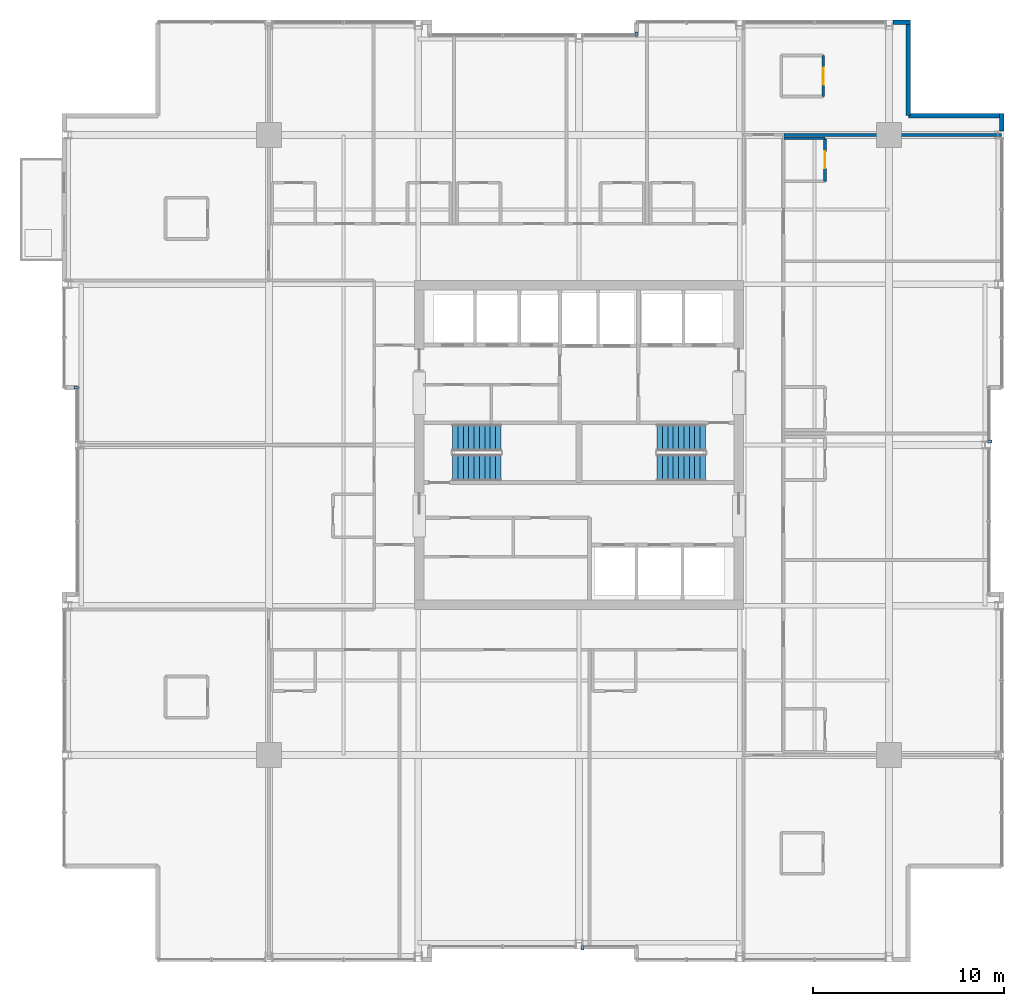
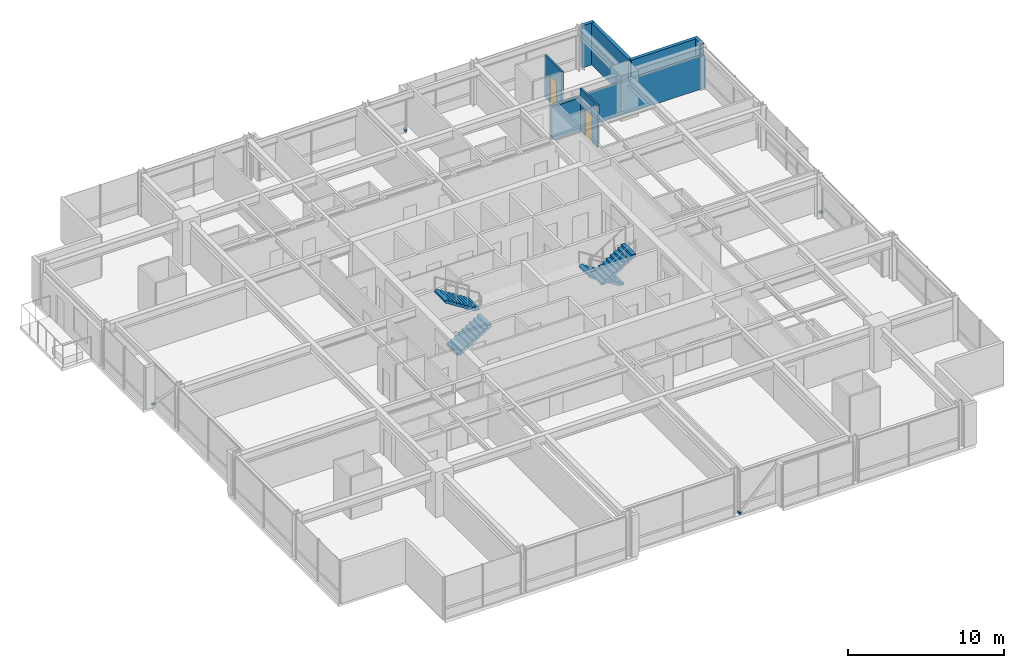
# One storey, part 29 of 32: 8 walls, 4 discrete accessories, 4 stair flights, 2 doors, 2 openings, 2 elements without a shape of their own.
"""IFC4 building model written with IfcOpenShell, lengths in metres."""

import ifcopenshell
import ifcopenshell.guid

model = None  # the IFC model being written
_history = None  # IfcOwnerHistory: only IFC2X3 demands one
_inside = {}  # id of a spatial element -> (the spatial element, [elements in it])
_under = {}  # id of a project, library or spatial element -> (it, [spatial elements below it])
_declared = {}  # id of a project -> (the project, [libraries it declares])
_typed = {}  # id of a type object -> (the type object, [elements of that type])
_made_of = {}  # id of a material, layer set ... -> (it, [elements and type objects made of it])


def new_model(schema):
    """Start an empty IFC model of exactly this schema.

    Asked for "IFC4X3", IfcOpenShell would pick the latest addendum, in which some entities
    have other attributes; the version numbers below select the first issue.
    IFC2X3 requires an IfcOwnerHistory on every rooted entity: one is made here for all.
    """
    global model, _history
    if schema == "IFC4X3":
        model = ifcopenshell.file(schema_version=(4, 3, 0, 0))
    else:
        model = ifcopenshell.file(schema=schema)
    _inside.clear()
    _under.clear()
    _declared.clear()
    _typed.clear()
    _made_of.clear()
    _history = None
    if model.schema == "IFC2X3":
        org = make("IfcOrganization", Name="unknown")
        user = make(
            "IfcPersonAndOrganization",
            ThePerson=make("IfcPerson", FamilyName="unknown"),
            TheOrganization=org,
        )
        app = make(
            "IfcApplication",
            ApplicationDeveloper=org,
            Version="unknown",
            ApplicationFullName="unknown",
            ApplicationIdentifier="unknown",
        )
        _history = make(
            "IfcOwnerHistory",
            OwningUser=user,
            OwningApplication=app,
            ChangeAction="ADDED",
            CreationDate=0,
        )
    return model


def make(cls, **values):
    """One entity of the class cls with the attributes given. An attribute that is None is left unset."""
    return model.create_entity(
        cls, **{name: value for name, value in values.items() if value is not None}
    )


def rooted(cls, **values):
    """An entity with a GlobalId (a new one), such as an element, a storey or a relation."""
    return make(cls, GlobalId=ifcopenshell.guid.new(), OwnerHistory=_history, **values)


def si_unit(unit_type, name, prefix=None):
    """IfcSIUnit, for example si_unit("LENGTHUNIT", "METRE", prefix="MILLI")."""
    return make("IfcSIUnit", UnitType=unit_type, Prefix=prefix, Name=name)


def assignment(units):
    """IfcUnitAssignment: the units of a project."""
    return None if units is None else make("IfcUnitAssignment", Units=units)


def point(xyz):
    """IfcCartesianPoint."""
    return None if xyz is None else make("IfcCartesianPoint", Coordinates=xyz)


def direction(xyz):
    """IfcDirection."""
    return None if xyz is None else make("IfcDirection", DirectionRatios=xyz)


def frame(location, z_axis=None, x_axis=None):
    """IfcAxis2Placement3D, a coordinate frame: its origin and axes. An axis left out is left unset."""
    return make(
        "IfcAxis2Placement3D",
        Location=point(location),
        Axis=direction(z_axis),
        RefDirection=direction(x_axis),
    )


def frame_2d(location, x_axis=None):
    """IfcAxis2Placement2D, a coordinate frame in the plane: its origin and x axis."""
    return make(
        "IfcAxis2Placement2D", Location=point(location), RefDirection=direction(x_axis)
    )


def origin():
    """The frame at (0, 0, 0) with its axes left unset."""
    return frame((0.0, 0.0, 0.0))


def origin_2d():
    """The frame at (0, 0) in the plane with its x axis left unset."""
    return frame_2d((0.0, 0.0))


def place(relative_to, where):
    """IfcLocalPlacement: puts the frame where relative to a parent placement (None: the world)."""
    return make(
        "IfcLocalPlacement", PlacementRelTo=relative_to, RelativePlacement=where
    )


def context(
    kind, dimensions, precision=None, world=None, true_north=None, identifier=None
):
    """IfcGeometricRepresentationContext, for example the 3D "Model" context."""
    return make(
        "IfcGeometricRepresentationContext",
        ContextIdentifier=identifier,
        ContextType=kind,
        CoordinateSpaceDimension=dimensions,
        Precision=precision,
        WorldCoordinateSystem=world,
        TrueNorth=true_north,
    )


def subcontext(parent, identifier, kind, view, scale=None):
    """IfcGeometricRepresentationSubContext, for example "Body" below "Model"."""
    return make(
        "IfcGeometricRepresentationSubContext",
        ContextIdentifier=identifier,
        ContextType=kind,
        ParentContext=parent,
        TargetScale=scale,
        TargetView=view,
    )


def project(units=None, contexts=None):
    """IfcProject with its units and contexts."""
    return rooted(
        "IfcProject",
        Name="project",
        RepresentationContexts=contexts,
        UnitsInContext=assignment(units),
    )


def spatial(cls, under=None, at=None, **own):
    """A site, building, storey or space (cls), placed at a placement, below another one or the project."""
    s = rooted(cls, ObjectPlacement=at, **own)
    if under is not None:
        _under.setdefault(under.id(), (under, []))[1].append(s)
    return s


def polyline(points):
    """IfcPolyline through the points."""
    return make("IfcPolyline", Points=[point(p) for p in points])


def profile(cls, at=None, kind="AREA", **sizes):
    """A parametric profile (cls). Its sizes go by their IFC names, for example OverallWidth=200.0."""
    return make(cls, ProfileType=kind, Position=at, **sizes)


def rectangle(**sizes):
    """IfcRectangleProfileDef."""
    return profile("IfcRectangleProfileDef", **sizes)


def outline(outer, holes=None, kind="AREA"):
    """IfcArbitraryClosedProfileDef: a profile drawn as a closed curve; with holes, ...WithVoids."""
    if holes is None:
        return make("IfcArbitraryClosedProfileDef", ProfileType=kind, OuterCurve=outer)
    return make(
        "IfcArbitraryProfileDefWithVoids",
        ProfileType=kind,
        OuterCurve=outer,
        InnerCurves=holes,
    )


def extrude(swept, where, along, depth):
    """IfcExtrudedAreaSolid: the profile swept, set in the frame where, extruded along a direction by depth."""
    return make(
        "IfcExtrudedAreaSolid",
        SweptArea=swept,
        Position=where,
        ExtrudedDirection=direction(along),
        Depth=depth,
    )


def shape(context_of_items, identifier, shape_type, items):
    """IfcShapeRepresentation: the items that make up one representation, for example the "Body"."""
    return make(
        "IfcShapeRepresentation",
        ContextOfItems=context_of_items,
        RepresentationIdentifier=identifier,
        RepresentationType=shape_type,
        Items=items,
    )


def material(Name=None, Category=None):
    """IfcMaterial."""
    return make("IfcMaterial", Name=Name, Category=Category)


def layer(
    of_material, thickness, ventilated=None, Name=None, Category=None, Priority=None
):
    """IfcMaterialLayer: one layer of a wall or slab, of a material (None: an air gap)."""
    return make(
        "IfcMaterialLayer",
        Material=of_material,
        LayerThickness=thickness,
        IsVentilated=ventilated,
        Name=Name,
        Category=Category,
        Priority=Priority,
    )


def layer_set(layers, Name=None):
    """IfcMaterialLayerSet."""
    return make("IfcMaterialLayerSet", MaterialLayers=layers, LayerSetName=Name)


def made_of(thing, what):
    """Note that an element or type object is made of a material, layer set ...; save() writes the relation."""
    if what is not None:
        _made_of.setdefault(what.id(), (what, []))[1].append(thing)
    return thing


def type_object(cls, material=None, **own):
    """A type object (cls), such as IfcWallType, which elements share."""
    return made_of(rooted(cls, **own), material)


def element(
    cls,
    number,
    at=None,
    inside=None,
    cuts=None,
    type_object=None,
    material=None,
    context=None,
    identifier="Body",
    shape_type=None,
    held_by="IfcProductDefinitionShape",
    body=None,
    shapes=None,
    **own,
):
    """One element of the class cls, such as IfcWall. Its Tag is "e" and its number.

    at: its placement. inside: the storey or other place that contains it. cuts: it is an
    opening in that element (IfcRelVoidsElement). A single representation is given by context,
    identifier, shape_type and body (its items); several are given by shapes. held_by: the class
    of the entity that holds the representations. save() writes the other relations.
    """
    e = rooted(cls, Tag="e%d" % number, ObjectPlacement=at, **own)
    if body is not None:
        shapes = [shape(context, identifier, shape_type, body)]
    if shapes is not None:
        e.Representation = make(held_by, Representations=shapes)
    if inside is not None:
        _inside.setdefault(inside.id(), (inside, []))[1].append(e)
    if cuts is not None:
        rooted(
            "IfcRelVoidsElement", RelatingBuildingElement=cuts, RelatedOpeningElement=e
        )
    if type_object is not None:
        _typed.setdefault(type_object.id(), (type_object, []))[1].append(e)
    return made_of(e, material)


def fill(opening, filler):
    """IfcRelFillsElement: the door or window that sits in an opening."""
    return rooted(
        "IfcRelFillsElement",
        RelatingOpeningElement=opening,
        RelatedBuildingElement=filler,
    )


def aggregate(whole, parts):
    """IfcRelAggregates: a whole, such as a stair, and the parts it consists of."""
    return rooted("IfcRelAggregates", RelatingObject=whole, RelatedObjects=parts)


def save(model, path):
    """Write the relations noted so far, then the file.

    IfcRelAggregates (storeys below a building ...), IfcRelContainedInSpatialStructure (elements
    in a storey), IfcRelDefinesByType, IfcRelAssociatesMaterial and IfcRelDeclares: one each for
    every whole, place, type object, material and project.
    """
    for whole, parts in _under.values():
        aggregate(whole, parts)
    for where, things in _inside.values():
        rooted(
            "IfcRelContainedInSpatialStructure",
            RelatedElements=things,
            RelatingStructure=where,
        )
    for kind, things in _typed.values():
        rooted("IfcRelDefinesByType", RelatedObjects=things, RelatingType=kind)
    for what, things in _made_of.values():
        rooted("IfcRelAssociatesMaterial", RelatedObjects=things, RelatingMaterial=what)
    for by, libraries in _declared.values():
        rooted("IfcRelDeclares", RelatingContext=by, RelatedDefinitions=libraries)
    model.write(path)


model = new_model("IFC4")

# Units and contexts
model_context = context("Model", 3, precision=1e-05, world=origin(), true_north=direction((0.0, 1.0)))
body_context = subcontext(model_context, "Body", "Model", "MODEL_VIEW")
ifc_project = project(units=[si_unit("LENGTHUNIT", "METRE"), si_unit("AREAUNIT", "SQUARE_METRE"), si_unit("VOLUMEUNIT", "CUBIC_METRE"), si_unit("PLANEANGLEUNIT", "RADIAN"), si_unit("MASSUNIT", "GRAM", prefix="KILO")], contexts=[model_context])

# Site, building, storey
site_placement = place(None, origin())
site = spatial("IfcSite", under=ifc_project, at=site_placement, CompositionType="ELEMENT")
building_placement = place(site_placement, origin())
building = spatial("IfcBuilding", under=site, at=building_placement, Name="Drelvath Grand Hotel", CompositionType="ELEMENT")
storey_placement = place(building_placement, frame((0.0, 0.0, 182.35009765625)))
storey = spatial("IfcBuildingStorey", under=building, at=storey_placement, Name="L47", CompositionType="ELEMENT", Elevation=182.35009765625)

# Wall, opening, door
ifc_material_1 = material(Name="Moisture-Resistant Gypsum Board")
ifc_layer_1 = layer(ifc_material_1, 0.139892578125)
ifc_layer_set_1 = layer_set([ifc_layer_1], Name="Moisture-Resistant Gypsum Board")
wall_type_1 = type_object("IfcWallType", Name="En-Suite Plumbing Wall 140", PredefinedType="PLUMBINGWALL", material=ifc_layer_set_1)
wall_1_placement = place(storey_placement, frame((12.760009765625, 45.199951171875, 0.0), z_axis=(0.0, 0.0, 1.0), x_axis=(0.0, 1.0, 0.0)))
wall_1 = element("IfcWall", 1, at=wall_1_placement, inside=storey, type_object=wall_type_1, Name="L47 Corner En-Suite East", PredefinedType="PLUMBINGWALL", context=body_context, shape_type="SweptSolid", body=[
    extrude(rectangle(XDim=2.150146484375, YDim=0.139892578125, at=frame_2d((1.0751953125, 0.0))), origin(), (0.0, 0.0, 1.0), 3.289794921875),
])
opening_1_placement = place(wall_1_placement, frame((0.6201171875, 0.0, 0.0)))
opening_1 = element("IfcOpeningElement", 2, at=opening_1_placement, cuts=wall_1, Name="Opening D-T3G4-032", PredefinedType="OPENING", context=body_context, shape_type="SweptSolid", body=[
    extrude(rectangle(XDim=0.8798828125, YDim=2.10009765625, at=frame_2d((0.43994140625, 1.050048828125))), frame((0.0, 0.079833984375, 0.0), z_axis=(0.0, -1.0, 0.0), x_axis=(1.0, 0.0, 0.0)), (0.0, 0.0, 1.0), 0.159912109375),
])
ifc_material_2 = material(Name="Hardwood Walnut Timber", Category="wood")
door_type = type_object("IfcDoorType", Name="En-Suite Bathroom Door 880x2100", OperationType="NOTDEFINED", PredefinedType="DOOR", material=ifc_material_2)
door_1_placement = place(opening_1_placement, origin())
door_1 = element("IfcDoor", 3, at=door_1_placement, inside=storey, type_object=door_type, Name="L47 Corner En-Suite Door", OperationType="SINGLE_SWING_RIGHT", OverallHeight=2.10009765625, OverallWidth=0.8798828125, PredefinedType="DOOR", context=body_context, shape_type="SweptSolid", body=[
    extrude(rectangle(XDim=0.8798828125, YDim=2.10009765625, at=frame_2d((0.43994140625, 1.050048828125))), frame((0.0, 0.02490234375, 0.0), z_axis=(0.0, -1.0, 0.0), x_axis=(1.0, 0.0, 0.0)), (0.0, 0.0, 1.0), 0.050048828125),
])
fill(opening_1, door_1)

# Wall
wall_2_placement = place(storey_placement, frame((10.699951171875, 43.02001953125, 0.0), z_axis=(0.0, 0.0, 1.0), x_axis=(1.0, 0.0, 0.0)))
element("IfcWall", 4, at=wall_2_placement, inside=storey, type_object=wall_type_1, Name="L47 En-Suite Right Wall", PredefinedType="PLUMBINGWALL", context=body_context, shape_type="SweptSolid", body=[
    extrude(rectangle(XDim=2.150146484375, YDim=0.139892578125, at=frame_2d((1.0751953125, 0.0))), origin(), (0.0, 0.0, 1.0), 2.579345703125),
])

# Wall, opening, door
wall_3_placement = place(storey_placement, frame((12.85009765625, 40.77001953125, 0.0), z_axis=(0.0, 0.0, 1.0), x_axis=(0.0, 1.0, 0.0)))
wall_3 = element("IfcWall", 5, at=wall_3_placement, inside=storey, type_object=wall_type_1, Name="L47 En-Suite Front Wall", PredefinedType="PLUMBINGWALL", context=body_context, shape_type="SweptSolid", body=[
    extrude(rectangle(XDim=2.25, YDim=0.139892578125, at=frame_2d((1.125, 0.0))), origin(), (0.0, 0.0, 1.0), 3.289794921875),
])
opening_2_placement = place(wall_3_placement, frame((0.68505859375, 0.0, 0.0)))
opening_2 = element("IfcOpeningElement", 6, at=opening_2_placement, cuts=wall_3, Name="Opening D-T3G4-055", PredefinedType="OPENING", context=body_context, shape_type="SweptSolid", body=[
    extrude(rectangle(XDim=0.8798828125, YDim=2.10009765625, at=frame_2d((0.43994140625, 1.050048828125))), frame((0.0, 0.079833984375, 0.0), z_axis=(0.0, -1.0, 0.0), x_axis=(1.0, 0.0, 0.0)), (0.0, 0.0, 1.0), 0.159912109375),
])
door_2_placement = place(opening_2_placement, origin())
door_2 = element("IfcDoor", 7, at=door_2_placement, inside=storey, type_object=door_type, Name="L47 En-Suite Bathroom Door", OperationType="SINGLE_SWING_LEFT", OverallHeight=2.10009765625, OverallWidth=0.8798828125, PredefinedType="DOOR", context=body_context, shape_type="SweptSolid", body=[
    extrude(rectangle(XDim=0.8798828125, YDim=2.10009765625, at=frame_2d((0.43994140625, 1.050048828125))), frame((0.0, 0.02490234375, 0.0), z_axis=(0.0, -1.0, 0.0), x_axis=(1.0, 0.0, 0.0)), (0.0, 0.0, 1.0), 0.050048828125),
])
fill(opening_2, door_2)

# Walls
ifc_material_3 = material(Name="Gypsum Acoustic Partition")
ifc_layer_2 = layer(ifc_material_3, 0.1650390625)
ifc_layer_set_2 = layer_set([ifc_layer_2], Name="Gypsum Acoustic Partition")
wall_type_2 = type_object("IfcWallType", Name="Suite Demising Wall 165", PredefinedType="PARTITIONING", material=ifc_layer_set_2)
wall_4_placement = place(storey_placement, frame((10.699951171875, 43.199951171875, 0.0), z_axis=(0.0, 0.0, 1.0), x_axis=(1.0, 0.0, 0.0)))
element("IfcWall", 8, at=wall_4_placement, inside=storey, type_object=wall_type_2, Name="L47 NE Suite South Wall", PredefinedType="PARTITIONING", context=body_context, shape_type="SweptSolid", body=[
    extrude(rectangle(XDim=11.380126953125, YDim=0.1650390625, at=frame_2d((5.68994140625, 0.0))), origin(), (0.0, 0.0, 1.0), 2.579345703125),
])
ifc_material_4 = material(Name="Pale-Metal Insulated Aluminium Spandrel Assembly", Category="aluminium")
ifc_layer_3 = layer(ifc_material_4, 0.239990234375)
ifc_layer_set_3 = layer_set([ifc_layer_3], Name="Pale-Metal Insulated Aluminium Spandrel Assembly")
wall_type_3 = type_object("IfcWallType", Name="Tower Insulated Metal Spandrel Closure Wall 240", PredefinedType="STANDARD", material=ifc_layer_set_3)
for number, where, z_axis, x_axis, name in (
    (9, (22.080078125, 44.320068359375, 0.0), (0.0, 0.0, 1.0), (0.0, -1.0, 0.0), "L47 Corner Pier Spandrel Wall EN3"),
    (10, (16.3916015625, 49.080078125, 0.0), (0.0, 0.0, 1.0), (1.0, 0.0, 0.0), "L47 Corner Pier Spandrel Wall NE3"),
):
    element("IfcWall", number, at=place(storey_placement, frame(where, z_axis=z_axis, x_axis=x_axis)), inside=storey, type_object=wall_type_3, Name=name, PredefinedType="STANDARD", context=body_context, shape_type="SweptSolid", body=[
        extrude(rectangle(XDim=0.928466796875, YDim=0.239990234375, at=frame_2d((0.46435546875, 0.0))), origin(), (0.0, 0.0, 1.0), 3.289794921875),
    ])
for number, where, z_axis, x_axis, name in (
    (11, (17.199951171875, 48.9599609375, 0.0), (0.0, 0.0, 1.0), (0.0, -1.0, 0.0), "L47 Notched Corner Return Spandrel Wall CNE1"),
    (12, (17.199951171875, 44.199951171875, 0.0), (0.0, 0.0, 1.0), (1.0, 0.0, 0.0), "L47 Notched Corner Return Spandrel Wall CNE2"),
):
    element("IfcWall", number, at=place(storey_placement, frame(where, z_axis=z_axis, x_axis=x_axis)), inside=storey, type_object=wall_type_3, Name=name, PredefinedType="STANDARD", context=body_context, shape_type="SweptSolid", body=[
        extrude(rectangle(XDim=4.760009765625, YDim=0.239990234375, at=frame_2d((2.3798828125, 0.0))), origin(), (0.0, 0.0, 1.0), 3.289794921875),
    ])

# Stair, stair flights
ifc_material_5 = material(Name="Concrete C40/50", Category="concrete")
stair_type = type_object("IfcStairType", Name="Dogleg Exit Stair W1400-R177.5", PredefinedType="HALF_TURN_STAIR", material=ifc_material_5)
stair_1_placement = place(storey_placement, origin())
stair_1 = element("IfcStair", 13, at=stair_1_placement, inside=storey, type_object=stair_type, Name="L47 Core Exit Stair ST-1", PredefinedType="HALF_TURN_STAIR")
stair_flight_type = type_object("IfcStairFlightType", Name="Concrete Stair Flight W1400-R177.5", PredefinedType="STRAIGHT", material=ifc_material_5)
stair_flight_1_placement = place(storey_placement, frame((-6.60009765625, 25.820068359375, 0.0), z_axis=(0.0, 0.0, 1.0), x_axis=(1.0, 0.0, 0.0)))
stair_flight_1 = element("IfcStairFlight", 14, at=stair_flight_1_placement, type_object=stair_flight_type, Name="ST-1 flight 1", NumberOfRisers=10, NumberOfTreads=9, PredefinedType="STRAIGHT", RiserHeight=0.1775, TreadLength=0.28, context=body_context, shape_type="SweptSolid", body=[
    extrude(outline(polyline([(0.0, 0.0), (0.0, 0.177490234375), (0.280029296875, 0.177490234375), (0.280029296875, 0.35498046875), (0.56005859375, 0.35498046875), (0.56005859375, 0.532470703125), (0.840087890625, 0.532470703125), (0.840087890625, 0.7099609375), (1.1201171875, 0.7099609375), (1.1201171875, 0.887451171875), (1.39990234375, 0.887451171875), (1.39990234375, 1.06494140625), (1.679931640625, 1.06494140625), (1.679931640625, 1.242431640625), (1.9599609375, 1.242431640625), (1.9599609375, 1.419921875), (2.239990234375, 1.419921875), (2.239990234375, 1.597412109375), (2.52001953125, 1.597412109375), (2.52001953125, 1.77490234375), (2.52001953125, 1.408203125), (0.298583984375, 0.0), (0.0, 0.0)])), frame((0.0, 0.699951171875, 0.0), z_axis=(0.0, -1.0, 0.0), x_axis=(1.0, 0.0, 0.0)), (0.0, 0.0, 1.0), 1.39990234375),
])
stair_flight_2_placement = place(storey_placement, frame((-4.080078125, 27.3798828125, 1.77490234375), z_axis=(0.0, 0.0, 1.0), x_axis=(-1.0, 0.0, 0.0)))
stair_flight_2 = element("IfcStairFlight", 15, at=stair_flight_2_placement, type_object=stair_flight_type, Name="ST-1 flight 2", NumberOfRisers=10, NumberOfTreads=9, PredefinedType="STRAIGHT", RiserHeight=0.1775, TreadLength=0.28, context=body_context, shape_type="SweptSolid", body=[
    extrude(outline(polyline([(0.0, 0.0), (0.0, 0.177490234375), (0.280029296875, 0.177490234375), (0.280029296875, 0.35498046875), (0.56005859375, 0.35498046875), (0.56005859375, 0.532470703125), (0.840087890625, 0.532470703125), (0.840087890625, 0.7099609375), (1.1201171875, 0.7099609375), (1.1201171875, 0.887451171875), (1.39990234375, 0.887451171875), (1.39990234375, 1.06494140625), (1.679931640625, 1.06494140625), (1.679931640625, 1.242431640625), (1.9599609375, 1.242431640625), (1.9599609375, 1.419921875), (2.239990234375, 1.419921875), (2.239990234375, 1.597412109375), (2.52001953125, 1.597412109375), (2.52001953125, 1.77490234375), (2.52001953125, 1.408203125), (0.298583984375, 0.0), (0.0, 0.0)])), frame((0.0, 0.699951171875, 0.0), z_axis=(0.0, -1.0, 0.0), x_axis=(1.0, 0.0, 0.0)), (0.0, 0.0, 1.0), 1.39990234375),
])
aggregate(stair_1, [stair_flight_1, stair_flight_2])

stair_2_placement = place(storey_placement, origin())
stair_2 = element("IfcStair", 16, at=stair_2_placement, inside=storey, type_object=stair_type, Name="L47 Core Exit Stair ST-2", PredefinedType="HALF_TURN_STAIR")
stair_flight_3_placement = place(storey_placement, frame((6.60009765625, 27.3798828125, 0.0), z_axis=(0.0, 0.0, 1.0), x_axis=(-1.0, 0.0, 0.0)))
stair_flight_3 = element("IfcStairFlight", 17, at=stair_flight_3_placement, type_object=stair_flight_type, Name="ST-2 flight 1", NumberOfRisers=10, NumberOfTreads=9, PredefinedType="STRAIGHT", RiserHeight=0.1775, TreadLength=0.28, context=body_context, shape_type="SweptSolid", body=[
    extrude(outline(polyline([(0.0, 0.0), (0.0, 0.177490234375), (0.280029296875, 0.177490234375), (0.280029296875, 0.35498046875), (0.56005859375, 0.35498046875), (0.56005859375, 0.532470703125), (0.840087890625, 0.532470703125), (0.840087890625, 0.7099609375), (1.1201171875, 0.7099609375), (1.1201171875, 0.887451171875), (1.39990234375, 0.887451171875), (1.39990234375, 1.06494140625), (1.679931640625, 1.06494140625), (1.679931640625, 1.242431640625), (1.9599609375, 1.242431640625), (1.9599609375, 1.419921875), (2.239990234375, 1.419921875), (2.239990234375, 1.597412109375), (2.52001953125, 1.597412109375), (2.52001953125, 1.77490234375), (2.52001953125, 1.408203125), (0.298583984375, 0.0), (0.0, 0.0)])), frame((0.0, 0.699951171875, 0.0), z_axis=(0.0, -1.0, 0.0), x_axis=(1.0, 0.0, 0.0)), (0.0, 0.0, 1.0), 1.39990234375),
])
stair_flight_4_placement = place(storey_placement, frame((4.080078125, 25.820068359375, 1.77490234375), z_axis=(0.0, 0.0, 1.0), x_axis=(1.0, 0.0, 0.0)))
stair_flight_4 = element("IfcStairFlight", 18, at=stair_flight_4_placement, type_object=stair_flight_type, Name="ST-2 flight 2", NumberOfRisers=10, NumberOfTreads=9, PredefinedType="STRAIGHT", RiserHeight=0.1775, TreadLength=0.28, context=body_context, shape_type="SweptSolid", body=[
    extrude(outline(polyline([(0.0, 0.0), (0.0, 0.177490234375), (0.280029296875, 0.177490234375), (0.280029296875, 0.35498046875), (0.56005859375, 0.35498046875), (0.56005859375, 0.532470703125), (0.840087890625, 0.532470703125), (0.840087890625, 0.7099609375), (1.1201171875, 0.7099609375), (1.1201171875, 0.887451171875), (1.39990234375, 0.887451171875), (1.39990234375, 1.06494140625), (1.679931640625, 1.06494140625), (1.679931640625, 1.242431640625), (1.9599609375, 1.242431640625), (1.9599609375, 1.419921875), (2.239990234375, 1.419921875), (2.239990234375, 1.597412109375), (2.52001953125, 1.597412109375), (2.52001953125, 1.77490234375), (2.52001953125, 1.408203125), (0.298583984375, 0.0), (0.0, 0.0)])), frame((0.0, 0.699951171875, 0.0), z_axis=(0.0, -1.0, 0.0), x_axis=(1.0, 0.0, 0.0)), (0.0, 0.0, 1.0), 1.39990234375),
])
aggregate(stair_2, [stair_flight_3, stair_flight_4])

# Discrete accessories
ifc_material_6 = material(Name="Stainless Steel Grade 316", Category="steel")
discrete_accessory_type = type_object("IfcDiscreteAccessoryType", Name="Curtain Wall Fin Mounting Bracket Cleat", PredefinedType="BRACKET", material=ifc_material_6)
for number, where, z_axis, x_axis, name in (
    (19, (-26.260009765625, 30.0, 0.10009765625), (0.0, 0.0, 1.0), (0.0, 1.0, 0.0), "L47 Fin Mounting Bracket CW04-L47-WM2-1"),
    (20, (21.4599609375, 27.191650390625, 0.10009765625), (0.0, 0.0, 1.0), (0.0, -1.0, 0.0), "L47 Fin Mounting Bracket CW04-L47-EM2-1"),
    (21, (3.0, 48.4599609375, 0.10009765625), (0.0, 0.0, 1.0), (1.0, 0.0, 0.0), "L47 Fin Mounting Bracket CW04-L47-NM2-1"),
    (22, (0.191650390625, 0.739990234375, 0.10009765625), (0.0, 0.0, 1.0), (-1.0, 0.0, 0.0), "L47 Fin Mounting Bracket CW04-L47-SM2-1"),
):
    element("IfcDiscreteAccessory", number, at=place(storey_placement, frame(where, z_axis=z_axis, x_axis=x_axis)), inside=storey, type_object=discrete_accessory_type, Name=name, PredefinedType="BRACKET", context=body_context, shape_type="SweptSolid", body=[
        extrude(rectangle(XDim=0.159912109375, YDim=0.239990234375, at=origin_2d()), origin(), (0.0, 0.0, 1.0), 0.159912109375),
    ])

save(model, "model.ifc")
